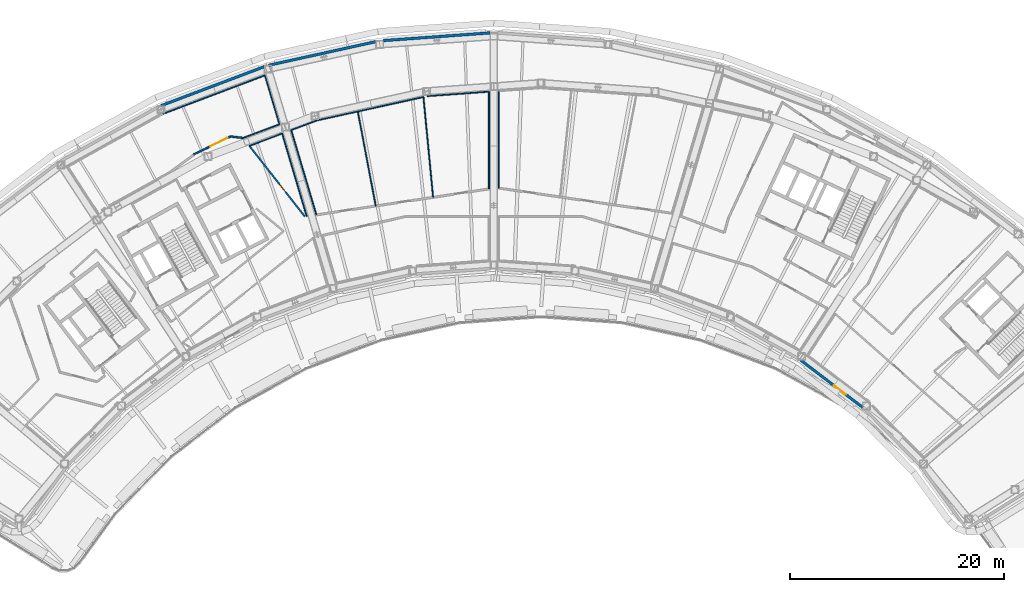
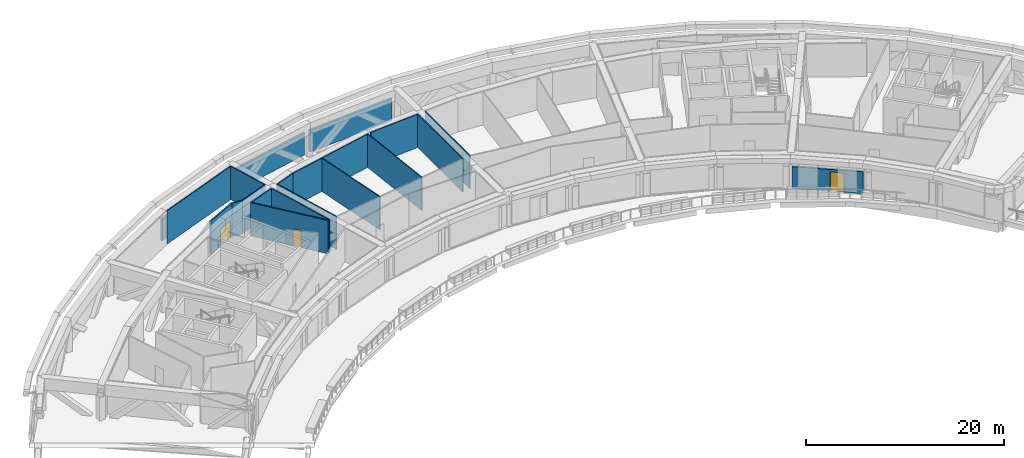
# One storey, part 9 of 26: 20 walls, 3 doors, 3 openings.
"""IFC4 building model written with IfcOpenShell, lengths in metres."""

from ifc_helpers import new_model, si_unit, direction, frame, frame_2d, origin, place, context, subcontext, project, spatial, rectangle, extrude, material, layer, layer_set, type_object, element, fill, save


model = new_model("IFC4")

# Units and contexts
model_context = context("Model", 3, precision=1e-05, world=origin(), true_north=direction((0.0, 1.0)))
body_context = subcontext(model_context, "Body", "Model", "MODEL_VIEW")
ifc_project = project(units=[si_unit("LENGTHUNIT", "METRE"), si_unit("AREAUNIT", "SQUARE_METRE"), si_unit("VOLUMEUNIT", "CUBIC_METRE"), si_unit("PLANEANGLEUNIT", "RADIAN"), si_unit("MASSUNIT", "GRAM", prefix="KILO")], contexts=[model_context])

# Site, building, storey
site_placement = place(None, origin())
site = spatial("IfcSite", under=ifc_project, at=site_placement, CompositionType="ELEMENT")
building_placement = place(site_placement, origin())
building = spatial("IfcBuilding", under=site, at=building_placement, Name="Tuul Gate Civic Tower", CompositionType="ELEMENT")
storey_placement = place(building_placement, frame((0.0, 0.0, 167.60009765625)))
storey = spatial("IfcBuildingStorey", under=building, at=storey_placement, Name="Plant and refuge floor 5", CompositionType="ELEMENT", Elevation=167.60009765625)

# Wall, opening, door
ifc_material_1 = material(Name="Gypsum board partition")
ifc_layer_1 = layer(ifc_material_1, 0.14990234375)
ifc_layer_set_1 = layer_set([ifc_layer_1], Name="Gypsum board partition")
wall_type_1 = type_object("IfcWallType", Name="Corridor wall P150", PredefinedType="PARTITIONING", material=ifc_layer_set_1)
wall_1_placement = place(storey_placement, frame((-21.8212890625, 3.366943359375, 0.0), z_axis=(0.0, 0.0, 1.0), x_axis=(0.617512678916, -0.786560926679, 0.0)))
wall_1 = element("IfcWall", 1, at=wall_1_placement, inside=storey, type_object=wall_type_1, Name="p012", PredefinedType="PARTITIONING", context=body_context, shape_type="SweptSolid", body=[
    extrude(rectangle(XDim=8.37939453125, YDim=0.14990234375, at=frame_2d((4.189697265625, 0.0))), origin(), (0.0, 0.0, 1.0), 4.099853515625),
])
opening_1_placement = place(wall_1_placement, frame((4.590087890625, 0.0, 0.0)))
opening_1 = element("IfcOpeningElement", 2, at=opening_1_placement, cuts=wall_1, Name="Opening PB-D031", PredefinedType="OPENING", context=body_context, shape_type="SweptSolid", body=[
    extrude(rectangle(XDim=0.89990234375, YDim=2.10009765625, at=frame_2d((0.449951171875, 1.050048828125))), frame((0.0, 0.0849609375, 0.0), z_axis=(0.0, -1.0, 0.0), x_axis=(1.0, 0.0, 0.0)), (0.0, 0.0, 1.0), 0.169921875),
])
ifc_material_2 = material(Name="Timber door leaf", Category="wood")
door_type_1 = type_object("IfcDoorType", Name="Door D09", OperationType="NOTDEFINED", PredefinedType="DOOR", material=ifc_material_2)
door_1_placement = place(opening_1_placement, origin())
door_1 = element("IfcDoor", 3, at=door_1_placement, inside=storey, type_object=door_type_1, Name="Door PB-D03", OperationType="SINGLE_SWING_RIGHT", OverallHeight=2.10009765625, OverallWidth=0.89990234375, PredefinedType="DOOR", context=body_context, shape_type="SweptSolid", body=[
    extrude(rectangle(XDim=0.89990234375, YDim=2.10009765625, at=frame_2d((0.449951171875, 1.050048828125))), frame((0.0, 0.02490234375, 0.0), z_axis=(0.0, -1.0, 0.0), x_axis=(1.0, 0.0, 0.0)), (0.0, 0.0, 1.0), 0.050048828125),
])
fill(opening_1, door_1)

# Wall
wall_2_placement = place(storey_placement, frame((-23.57421875, 4.2509765625, 0.0), z_axis=(0.0, 0.0, 1.0), x_axis=(0.992711277058, -0.120516888454, 0.0)))
element("IfcWall", 4, at=wall_2_placement, inside=storey, type_object=wall_type_1, Name="p054", PredefinedType="PARTITIONING", context=body_context, shape_type="SweptSolid", body=[
    extrude(rectangle(XDim=1.178955078125, YDim=0.14990234375, at=frame_2d((0.58935546875, 0.0))), origin(), (0.0, 0.0, 1.0), 4.099853515625),
])

# Wall, opening, door
wall_3_placement = place(storey_placement, frame((-27.021484375, 2.572021484375, 0.0), z_axis=(0.0, 0.0, 1.0), x_axis=(0.899039358938, 0.437867823755, 0.0)))
wall_3 = element("IfcWall", 5, at=wall_3_placement, inside=storey, type_object=wall_type_1, Name="p055", PredefinedType="PARTITIONING", context=body_context, shape_type="SweptSolid", body=[
    extrude(rectangle(XDim=3.83447265625, YDim=0.14990234375, at=frame_2d((1.917236328125, 0.0))), origin(), (0.0, 0.0, 1.0), 4.099853515625),
])
opening_2_placement = place(wall_3_placement, frame((1.717041015625, 0.0, 0.0)))
opening_2 = element("IfcOpeningElement", 6, at=opening_2_placement, cuts=wall_3, Name="Opening PB-D212", PredefinedType="OPENING", context=body_context, shape_type="SweptSolid", body=[
    extrude(rectangle(XDim=1.800048828125, YDim=2.10009765625, at=frame_2d((0.89990234375, 1.050048828125))), frame((0.0, 0.0849609375, 0.0), z_axis=(0.0, -1.0, 0.0), x_axis=(1.0, 0.0, 0.0)), (0.0, 0.0, 1.0), 0.169921875),
])
ifc_material_3 = material(Name="Timber door leaf, double", Category="wood")
door_type_2 = type_object("IfcDoorType", Name="Door D18", OperationType="DOUBLE_DOOR_SINGLE_SWING", PredefinedType="DOOR", material=ifc_material_3)
door_2_placement = place(opening_2_placement, origin())
door_2 = element("IfcDoor", 7, at=door_2_placement, inside=storey, type_object=door_type_2, Name="Door PB-D21", OperationType="DOUBLE_DOOR_SINGLE_SWING", OverallHeight=2.10009765625, OverallWidth=1.800048828125, PredefinedType="DOOR", context=body_context, shape_type="SweptSolid", body=[
    extrude(rectangle(XDim=1.800048828125, YDim=2.10009765625, at=frame_2d((0.89990234375, 1.050048828125))), frame((0.0, 0.02490234375, 0.0), z_axis=(0.0, -1.0, 0.0), x_axis=(1.0, 0.0, 0.0)), (0.0, 0.0, 1.0), 0.050048828125),
])
fill(opening_2, door_2)

# Walls
ifc_material_4 = material(Name="Precast concrete C40/50", Category="concrete")
ifc_layer_2 = layer(ifc_material_4, 0.25)
ifc_layer_set_2 = layer_set([ifc_layer_2], Name="Precast concrete C40/50")
wall_type_2 = type_object("IfcWallType", Name="External wall 2700 HIGH", PredefinedType="STANDARD", material=ifc_layer_set_2)
wall_4_placement = place(storey_placement, frame((0.639892578125, 13.916259765625, 0.0), z_axis=(0.0, 0.0, 1.0), x_axis=(-0.997388824437, -0.072218646399, 0.0)))
element("IfcWall", 8, at=wall_4_placement, inside=storey, type_object=wall_type_2, Name="External wall", PredefinedType="STANDARD", context=body_context, shape_type="SweptSolid", body=[
    extrude(rectangle(XDim=9.999755859375, YDim=0.25, at=frame_2d((5.0, 0.0))), origin(), (0.0, 0.0, 1.0), 2.699951171875),
])
wall_5_placement = place(storey_placement, frame((-10.010009765625, 13.10009765625, 0.0), z_axis=(0.0, 0.0, 1.0), x_axis=(-0.976563654164, -0.215228783775, 0.0)))
element("IfcWall", 9, at=wall_5_placement, inside=storey, type_object=wall_type_2, Name="External wall", PredefinedType="STANDARD", context=body_context, shape_type="SweptSolid", body=[
    extrude(rectangle(XDim=10.24072265625, YDim=0.25, at=frame_2d((5.120361328125, 0.0))), origin(), (0.0, 0.0, 1.0), 2.699951171875),
])
wall_6_placement = place(storey_placement, frame((-20.43701171875, 10.761474609375, 0.0), z_axis=(0.0, 0.0, 1.0), x_axis=(-0.935347981429, -0.353728926773, 0.0)))
element("IfcWall", 10, at=wall_6_placement, inside=storey, type_object=wall_type_2, Name="External wall", PredefinedType="STANDARD", context=body_context, shape_type="SweptSolid", body=[
    extrude(rectangle(XDim=10.294189453125, YDim=0.25, at=frame_2d((5.14697265625, 0.0))), origin(), (0.0, 0.0, 1.0), 2.699951171875),
])

# Wall, opening, door
wall_7_placement = place(storey_placement, frame((29.6396484375, -16.637939453125, 0.0), z_axis=(0.0, 0.0, 1.0), x_axis=(0.795569309585, -0.605862586439, 0.0)))
wall_7 = element("IfcWall", 11, at=wall_7_placement, inside=storey, type_object=wall_type_2, Name="External wall", PredefinedType="STANDARD", context=body_context, shape_type="SweptSolid", body=[
    extrude(rectangle(XDim=7.249267578125, YDim=0.25, at=frame_2d((3.62451171875, 0.0))), origin(), (0.0, 0.0, 1.0), 2.699951171875),
])
opening_3_placement = place(wall_7_placement, frame((3.89501953125, 0.0, 0.0)))
opening_3 = element("IfcOpeningElement", 12, at=opening_3_placement, cuts=wall_7, Name="Opening TD", PredefinedType="OPENING", context=body_context, shape_type="SweptSolid", body=[
    extrude(rectangle(XDim=1.39990234375, YDim=2.39990234375, at=frame_2d((0.699951171875, 1.199951171875))), frame((0.0, 0.135009765625, 0.0), z_axis=(0.0, -1.0, 0.0), x_axis=(1.0, 0.0, 0.0)), (0.0, 0.0, 1.0), 0.27001953125),
])
ifc_material_5 = material(Name="Glazed aluminium", Category="aluminium")
door_type_3 = type_object("IfcDoorType", Name="Terrace door", OperationType="DOUBLE_DOOR_SINGLE_SWING", PredefinedType="DOOR", material=ifc_material_5)
door_3_placement = place(opening_3_placement, frame((1.39990234375, 0.0, 0.0), z_axis=(0.0, 0.0, 1.0), x_axis=(-1.0, 0.0, 0.0)))
door_3 = element("IfcDoor", 13, at=door_3_placement, inside=storey, type_object=door_type_3, Name="Terrace door", OperationType="DOUBLE_DOOR_SINGLE_SWING", OverallHeight=2.39990234375, OverallWidth=1.39990234375, PredefinedType="DOOR", context=body_context, shape_type="SweptSolid", body=[
    extrude(rectangle(XDim=1.39990234375, YDim=2.39990234375, at=frame_2d((0.699951171875, 1.199951171875))), frame((0.0, 0.02490234375, 0.0), z_axis=(0.0, -1.0, 0.0), x_axis=(1.0, 0.0, 0.0)), (0.0, 0.0, 1.0), 0.050048828125),
])
fill(opening_3, door_3)

# Walls
ifc_material_6 = material(Name="Gypsum board partition")
ifc_layer_3 = layer(ifc_material_6, 0.10009765625)
ifc_layer_set_3 = layer_set([ifc_layer_3], Name="Gypsum board partition")
wall_type_3 = type_object("IfcWallType", Name="Partition P100", PredefinedType="PARTITIONING", material=ifc_layer_set_3)
wall_8_placement = place(storey_placement, frame((-5.57861328125, 7.932373046875, 0.0), z_axis=(0.0, 0.0, 1.0), x_axis=(0.095864709905, -0.995394372796, 0.0)))
element("IfcWall", 14, at=wall_8_placement, inside=storey, type_object=wall_type_3, Name="p044", PredefinedType="PARTITIONING", context=body_context, shape_type="SweptSolid", body=[
    extrude(rectangle(XDim=9.407470703125, YDim=0.10009765625, at=frame_2d((4.70361328125, 0.0))), origin(), (0.0, 0.0, 1.0), 4.099853515625),
])
wall_9_placement = place(storey_placement, frame((-11.704833984375, 6.582275390625, 0.0), z_axis=(0.0, 0.0, 1.0), x_axis=(0.186525997821, -0.982450025262, 0.0)))
element("IfcWall", 15, at=wall_9_placement, inside=storey, type_object=wall_type_3, Name="p045", PredefinedType="PARTITIONING", context=body_context, shape_type="SweptSolid", body=[
    extrude(rectangle(XDim=8.9775390625, YDim=0.10009765625, at=frame_2d((4.48876953125, 0.0))), origin(), (0.0, 0.0, 1.0), 4.099853515625),
])
wall_10_placement = place(storey_placement, frame((-21.8212890625, 3.366943359375, 0.0), z_axis=(0.0, 0.0, 1.0), x_axis=(0.935327682499, 0.353782597581, 0.0)))
element("IfcWall", 16, at=wall_10_placement, inside=storey, type_object=wall_type_3, Name="p070", PredefinedType="PARTITIONING", context=body_context, shape_type="SweptSolid", body=[
    extrude(rectangle(XDim=3.268310546875, YDim=0.10009765625, at=frame_2d((1.63427734375, 0.0))), origin(), (0.0, 0.0, 1.0), 4.099853515625),
])
wall_11_placement = place(storey_placement, frame((-18.764404296875, 4.523193359375, 0.0), z_axis=(0.0, 0.0, 1.0), x_axis=(0.285228102817, -0.958459664964, 0.0)))
element("IfcWall", 17, at=wall_11_placement, inside=storey, type_object=wall_type_3, Name="p071", PredefinedType="PARTITIONING", context=body_context, shape_type="SweptSolid", body=[
    extrude(rectangle(XDim=8.064697265625, YDim=0.10009765625, at=frame_2d((4.0322265625, 0.0))), origin(), (0.0, 0.0, 1.0), 4.099853515625),
])
wall_12_placement = place(storey_placement, frame((1.43994140625, -0.56787109375, 0.0), z_axis=(0.0, 0.0, 1.0), x_axis=(0.0, 1.0, 0.0)))
element("IfcWall", 18, at=wall_12_placement, inside=storey, type_object=wall_type_3, Name="p095", PredefinedType="PARTITIONING", context=body_context, shape_type="SweptSolid", body=[
    extrude(rectangle(XDim=9.0634765625, YDim=0.10009765625, at=frame_2d((4.53173828125, 0.0))), origin(), (0.0, 0.0, 1.0), 4.099853515625),
])
wall_13_placement = place(storey_placement, frame((-5.2099609375, 8.013427734375, 0.0), z_axis=(0.0, 0.0, 1.0), x_axis=(0.997380724177, 0.072330429556, 0.0)))
element("IfcWall", 19, at=wall_13_placement, inside=storey, type_object=wall_type_3, Name="p108", PredefinedType="PARTITIONING", context=body_context, shape_type="SweptSolid", body=[
    extrude(rectangle(XDim=5.76513671875, YDim=0.10009765625, at=frame_2d((2.882568359375, 0.0))), origin(), (0.0, 0.0, 1.0), 4.099853515625),
])
wall_14_placement = place(storey_placement, frame((0.5400390625, 8.430419921875, 0.0), z_axis=(0.0, 0.0, 1.0), x_axis=(0.0, -1.0, 0.0)))
element("IfcWall", 20, at=wall_14_placement, inside=storey, type_object=wall_type_3, Name="p109", PredefinedType="PARTITIONING", context=body_context, shape_type="SweptSolid", body=[
    extrude(rectangle(XDim=9.076904296875, YDim=0.10009765625, at=frame_2d((4.53857421875, 0.0))), origin(), (0.0, 0.0, 1.0), 4.099853515625),
])
wall_15_placement = place(storey_placement, frame((-15.57421875, 5.7294921875, 0.0), z_axis=(0.0, 0.0, 1.0), x_axis=(0.976565517741, 0.215220327941, 0.0)))
element("IfcWall", 21, at=wall_15_placement, inside=storey, type_object=wall_type_3, Name="p110", PredefinedType="PARTITIONING", context=body_context, shape_type="SweptSolid", body=[
    extrude(rectangle(XDim=10.2353515625, YDim=0.10009765625, at=frame_2d((5.11767578125, 0.0))), origin(), (0.0, 0.0, 1.0), 4.099853515625),
])
wall_16_placement = place(storey_placement, frame((-15.5654296875, -3.0712890625, 0.0), z_axis=(0.0, 0.0, 1.0), x_axis=(-0.285225784622, 0.958460354833, 0.0)))
element("IfcWall", 22, at=wall_16_placement, inside=storey, type_object=wall_type_3, Name="p111", PredefinedType="PARTITIONING", context=body_context, shape_type="SweptSolid", body=[
    extrude(rectangle(XDim=8.256591796875, YDim=0.10009765625, at=frame_2d((4.12841796875, 0.0))), origin(), (0.0, 0.0, 1.0), 4.099853515625),
])
wall_17_placement = place(storey_placement, frame((-17.92041015625, 4.84228515625, 0.0), z_axis=(0.0, 0.0, 1.0), x_axis=(0.935357635733, 0.353703397321, 0.0)))
element("IfcWall", 23, at=wall_17_placement, inside=storey, type_object=wall_type_3, Name="p112", PredefinedType="PARTITIONING", context=body_context, shape_type="SweptSolid", body=[
    extrude(rectangle(XDim=2.50830078125, YDim=0.10009765625, at=frame_2d((1.254150390625, 0.0))), origin(), (0.0, 0.0, 1.0), 4.099853515625),
])
wall_18_placement = place(storey_placement, frame((-29.88427734375, 6.360595703125, 0.0), z_axis=(0.0, 0.0, 1.0), x_axis=(0.935369846422, 0.353671104847, 0.0)))
element("IfcWall", 24, at=wall_18_placement, inside=storey, type_object=wall_type_3, Name="p124", PredefinedType="PARTITIONING", context=body_context, shape_type="SweptSolid", body=[
    extrude(rectangle(XDim=10.16064453125, YDim=0.10009765625, at=frame_2d((5.080322265625, 0.0))), origin(), (0.0, 0.0, 1.0), 4.099853515625),
])
wall_19_placement = place(storey_placement, frame((-20.38037109375, 9.9541015625, 0.0), z_axis=(0.0, 0.0, 1.0), x_axis=(0.285236221333, -0.958457248937, 0.0)))
element("IfcWall", 25, at=wall_19_placement, inside=storey, type_object=wall_type_3, Name="p125", PredefinedType="PARTITIONING", context=body_context, shape_type="SweptSolid", body=[
    extrude(rectangle(XDim=4.76416015625, YDim=0.10009765625, at=frame_2d((2.382080078125, 0.0))), origin(), (0.0, 0.0, 1.0), 4.099853515625),
])
wall_20_placement = place(storey_placement, frame((-19.021484375, 5.387939453125, 0.0), z_axis=(0.0, 0.0, 1.0), x_axis=(-0.935354488576, -0.353711719767, 0.0)))
element("IfcWall", 26, at=wall_20_placement, inside=storey, type_object=wall_type_3, Name="p126", PredefinedType="PARTITIONING", context=body_context, shape_type="SweptSolid", body=[
    extrude(rectangle(XDim=3.615966796875, YDim=0.10009765625, at=frame_2d((1.80810546875, 0.0))), origin(), (0.0, 0.0, 1.0), 4.099853515625),
])

save(model, "model.ifc")
